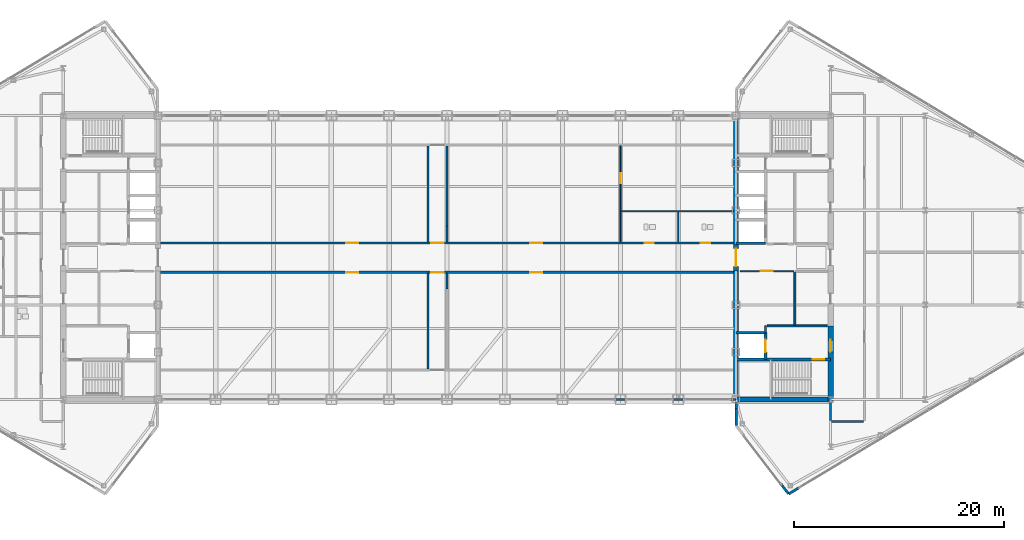
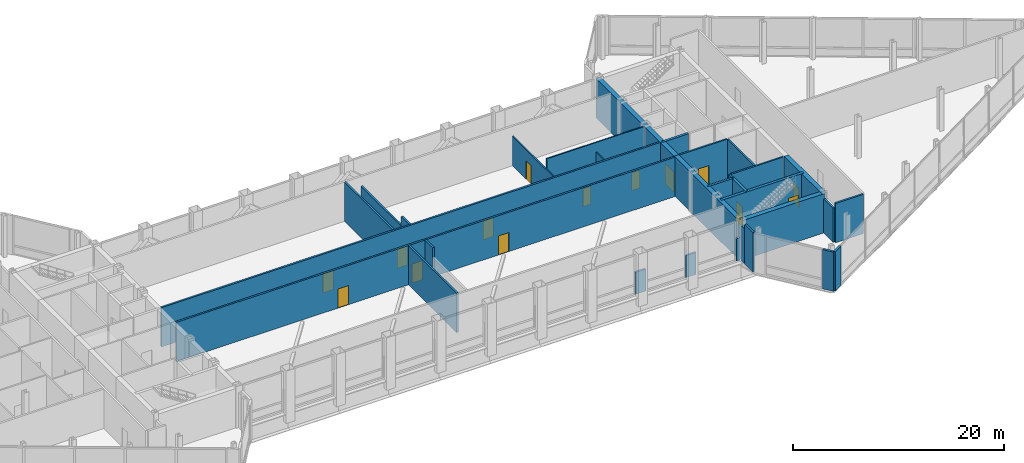
# One storey, part 24 of 29: 32 walls, 14 doors, 14 openings.
"""IFC4 building model written with IfcOpenShell, lengths in metres."""

from ifc_helpers import new_model, si_unit, direction, frame, frame_2d, origin, place, context, subcontext, project, spatial, rectangle, extrude, source, transform, mapped, material, layer, layer_set, type_object, type_shapes, element, fill, save


model = new_model("IFC4")

# Units and contexts
model_context = context("Model", 3, precision=1e-05, world=origin(), true_north=direction((0.0, 1.0)))
body_context = subcontext(model_context, "Body", "Model", "MODEL_VIEW")
ifc_project = project(units=[si_unit("LENGTHUNIT", "METRE"), si_unit("AREAUNIT", "SQUARE_METRE"), si_unit("VOLUMEUNIT", "CUBIC_METRE"), si_unit("PLANEANGLEUNIT", "RADIAN"), si_unit("MASSUNIT", "GRAM", prefix="KILO")], contexts=[model_context])

# Site, building, storey
site_placement = place(None, origin())
site = spatial("IfcSite", under=ifc_project, at=site_placement, CompositionType="ELEMENT")
building_placement = place(site_placement, origin())
building = spatial("IfcBuilding", under=site, at=building_placement, Name="Seokmaru Belvedere", CompositionType="ELEMENT")
storey_placement = place(building_placement, frame((0.0, 0.0, 229.800048828125)))
storey = spatial("IfcBuildingStorey", under=building, at=storey_placement, Name="L61", CompositionType="ELEMENT", Elevation=229.800048828125)

# Walls
ifc_material_1 = material(Name="Anodised Bronze Aluminium", Category="aluminium")
ifc_layer_1 = layer(ifc_material_1, 0.2099609375)
ifc_layer_set_1 = layer_set([ifc_layer_1], Name="Anodised Bronze Aluminium")
wall_type_1 = type_object("IfcWallType", Name="Bridge Column Spandrel Closure Pier 210", PredefinedType="SOLIDWALL", material=ifc_layer_set_1)
for number, where, z_axis, x_axis, name in (
    (1, (15.949951171875, -13.5, 0.0), (0.0, 0.0, 1.0), (1.0, 0.0, 0.0), "L61 Bridge South Column Closure Pier 09"),
    (2, (21.449951171875, -13.5, 0.0), (0.0, 0.0, 1.0), (1.0, 0.0, 0.0), "L61 Bridge South Column Closure Pier 10"),
):
    element("IfcWall", number, at=place(storey_placement, frame(where, z_axis=z_axis, x_axis=x_axis)), inside=storey, type_object=wall_type_1, Name=name, PredefinedType="SOLIDWALL", context=body_context, shape_type="SweptSolid", body=[
        extrude(rectangle(XDim=1.10009765625, YDim=0.2099609375, at=frame_2d((0.550048828125, 0.0))), origin(), (0.0, 0.0, 1.0), 2.5400390625),
    ])
wall_1_placement = place(storey_placement, frame((26.949951171875, -13.5, 0.0), z_axis=(0.0, 0.0, 1.0), x_axis=(1.0, 0.0, 0.0)))
element("IfcWall", 3, at=wall_1_placement, inside=storey, type_object=wall_type_1, Name="L61 Bridge South Column Closure Pier 11", PredefinedType="SOLIDWALL", context=body_context, shape_type="SweptSolid", body=[
    extrude(rectangle(XDim=0.5400390625, YDim=0.2099609375, at=frame_2d((0.27001953125, 0.0))), origin(), (0.0, 0.0, 1.0), 2.5400390625),
])
ifc_material_2 = material(Name="Fire-Rated Gypsum Shaftwall")
ifc_layer_2 = layer(ifc_material_2, 0.179931640625)
ifc_layer_set_2 = layer_set([ifc_layer_2], Name="Fire-Rated Gypsum Shaftwall")
wall_type_2 = type_object("IfcWallType", Name="Core Service Fire Partition 180", PredefinedType="PARTITIONING", material=ifc_layer_set_2)
wall_2_placement = place(storey_placement, frame((30.449951171875, -6.5, 0.0), z_axis=(0.0, 0.0, 1.0), x_axis=(1.0, 0.0, 0.0)))
element("IfcWall", 4, at=wall_2_placement, inside=storey, type_object=wall_type_2, Name="L61 East Firefighting Lobby Partition", PredefinedType="PARTITIONING", context=body_context, shape_type="SweptSolid", body=[
    extrude(rectangle(XDim=5.699951171875, YDim=0.179931640625, at=frame_2d((2.85009765625, 0.0))), origin(), (0.0, 0.0, 1.0), 4.5400390625),
])
wall_3_placement = place(storey_placement, frame((30.300048828125, -7.1201171875, 0.0), z_axis=(0.0, 0.0, 1.0), x_axis=(0.0, 1.0, 0.0)))
element("IfcWall", 5, at=wall_3_placement, inside=storey, type_object=wall_type_2, Name="L61 East Firefighting Lobby East Closure Wall", PredefinedType="PARTITIONING", context=body_context, shape_type="SweptSolid", body=[
    extrude(rectangle(XDim=0.6201171875, YDim=0.179931640625, at=frame_2d((0.31005859375, 0.0))), origin(), (0.0, 0.0, 1.0), 4.5400390625),
])
wall_4_placement = place(storey_placement, frame((33.10009765625, -6.419921875, 0.0), z_axis=(0.0, 0.0, 1.0), x_axis=(0.0, 1.0, 0.0)))
element("IfcWall", 6, at=wall_4_placement, inside=storey, type_object=wall_type_2, Name="L61 East South Core Service Back Wall", PredefinedType="PARTITIONING", context=body_context, shape_type="SweptSolid", body=[
    extrude(rectangle(XDim=5.0400390625, YDim=0.179931640625, at=frame_2d((2.52001953125, 0.0))), origin(), (0.0, 0.0, 1.0), 4.5400390625),
])

# Wall, opening, door
wall_5_placement = place(storey_placement, frame((27.85009765625, -1.300048828125, 0.0), z_axis=(0.0, 0.0, 1.0), x_axis=(1.0, 0.0, 0.0)))
wall_5 = element("IfcWall", 7, at=wall_5_placement, inside=storey, type_object=wall_type_2, Name="L61 East South Lift Lobby Foyer Wall", PredefinedType="PARTITIONING", context=body_context, shape_type="SweptSolid", body=[
    extrude(rectangle(XDim=5.169921875, YDim=0.179931640625, at=frame_2d((2.5849609375, 0.0))), origin(), (0.0, 0.0, 1.0), 4.5400390625),
])
opening_1_placement = place(wall_5_placement, frame((2.010009765625, 0.0, 0.0)))
opening_1 = element("IfcOpeningElement", 8, at=opening_1_placement, cuts=wall_5, Name="Opening D02", PredefinedType="OPENING", context=body_context, shape_type="SweptSolid", body=[
    extrude(rectangle(XDim=1.14990234375, YDim=2.199951171875, at=frame_2d((0.574951171875, 1.10009765625))), frame((0.0, 0.10009765625, 0.0), z_axis=(0.0, -1.0, 0.0), x_axis=(1.0, 0.0, 0.0)), (0.0, 0.0, 1.0), 0.199951171875),
])
ifc_material_3 = material(Name="Fire-Rated Steel Leaf", Category="steel")
door_type_1 = type_object("IfcDoorType", Name="Lobby and Vestibule Fire Door 1150x2200", OperationType="NOTDEFINED", PredefinedType="DOOR", material=ifc_material_3)
shared_shape_1 = source(origin(), body_context, "Body", "SweptSolid", [
    extrude(rectangle(XDim=1.14990234375, YDim=2.199951171875, at=frame_2d((0.574951171875, 1.10009765625))), frame((0.0, 0.02490234375, 0.0), z_axis=(0.0, -1.0, 0.0), x_axis=(1.0, 0.0, 0.0)), (0.0, 0.0, 1.0), 0.050048828125),
])
type_shapes(door_type_1, [shared_shape_1])
door_1_placement = place(opening_1_placement, origin())
door_1 = element("IfcDoor", 9, at=door_1_placement, inside=storey, type_object=door_type_1, Name="L61 East South Core Foyer Door", OperationType="SINGLE_SWING_RIGHT", OverallHeight=2.199951171875, OverallWidth=1.14990234375, PredefinedType="DOOR", context=body_context, shape_type="MappedRepresentation", body=[
    mapped(shared_shape_1, transform((0.0, 0.0, 0.0), scale=1.0)),
])
fill(opening_1, door_1)

# Walls
ifc_material_4 = material(Name="Concrete C50 (50 MPa)", Category="concrete")
ifc_layer_3 = layer(ifc_material_4, 0.25)
ifc_layer_set_3 = layer_set([ifc_layer_3], Name="Concrete C50 (50 MPa)")
wall_type_3 = type_object("IfcWallType", Name="Hoistway Transverse Concrete Divider Wall 250", PredefinedType="SHEAR", material=ifc_layer_set_3)
for number, where, z_axis, x_axis, name in (
    (10, (27.5, -7.14990234375, 0.0), (0.0, 0.0, 1.0), (1.0, 0.0, 0.0), "L61 East Hoistway Divider Core Wall 1"),
    (11, (27.5, 1.35009765625, 0.0), (0.0, 0.0, 1.0), (1.0, 0.0, 0.0), "L61 East Hoistway Divider Core Wall 2"),
):
    element("IfcWall", number, at=place(storey_placement, frame(where, z_axis=z_axis, x_axis=x_axis)), inside=storey, type_object=wall_type_3, Name=name, PredefinedType="SHEAR", context=body_context, shape_type="SweptSolid", body=[
        extrude(rectangle(XDim=2.800048828125, YDim=0.25, at=frame_2d((1.39990234375, 0.0))), origin(), (0.0, 0.0, 1.0), 4.5400390625),
    ])
ifc_layer_4 = layer(ifc_material_2, 0.199951171875)
ifc_layer_set_4 = layer_set([ifc_layer_4], Name="Fire-Rated Gypsum Shaftwall")
wall_type_4 = type_object("IfcWallType", Name="Inter-Tenancy Fire Compartment Partition 200", PredefinedType="PARTITIONING", material=ifc_layer_set_4)
wall_6_placement = place(storey_placement, frame((36.5849609375, -15.60009765625, 0.0), z_axis=(0.0, 0.0, 1.0), x_axis=(1.0, 0.0, 0.0)))
element("IfcWall", 12, at=wall_6_placement, inside=storey, type_object=wall_type_4, Name="L61 Interior Partition 002", PredefinedType="PARTITIONING", context=body_context, shape_type="SweptSolid", body=[
    extrude(rectangle(XDim=3.030029296875, YDim=0.199951171875, at=frame_2d((1.51513671875, 0.0))), origin(), (0.0, 0.0, 1.0), 4.5400390625),
])

# Wall, openings, doors
wall_7_placement = place(storey_placement, frame((-27.2451171875, -1.39990234375, 0.0), z_axis=(0.0, 0.0, 1.0), x_axis=(1.0, 0.0, 0.0)))
wall_7 = element("IfcWall", 13, at=wall_7_placement, inside=storey, type_object=wall_type_4, Name="L61 Interior Partition 007", PredefinedType="PARTITIONING", context=body_context, shape_type="SweptSolid", body=[
    extrude(rectangle(XDim=54.490234375, YDim=0.199951171875, at=frame_2d((27.2451171875, 0.0))), origin(), (0.0, 0.0, 1.0), 4.5400390625),
])
opening_2_placement = place(wall_7_placement, frame((25.77001953125, 0.0, 0.0)))
opening_2 = element("IfcOpeningElement", 14, at=opening_2_placement, cuts=wall_7, Name="Opening D02", PredefinedType="OPENING", context=body_context, shape_type="SweptSolid", body=[
    extrude(rectangle(XDim=1.14990234375, YDim=2.199951171875, at=frame_2d((0.574951171875, 1.10009765625))), frame((0.0, 0.10986328125, 0.0), z_axis=(0.0, -1.0, 0.0), x_axis=(1.0, 0.0, 0.0)), (0.0, 0.0, 1.0), 0.219970703125),
])
opening_3_placement = place(wall_7_placement, frame((17.669921875, 0.0, 0.0)))
opening_3 = element("IfcOpeningElement", 15, at=opening_3_placement, cuts=wall_7, Name="Opening D02", PredefinedType="OPENING", context=body_context, shape_type="SweptSolid", body=[
    extrude(rectangle(XDim=1.14990234375, YDim=2.199951171875, at=frame_2d((0.574951171875, 1.10009765625))), frame((0.0, 0.10986328125, 0.0), z_axis=(0.0, -1.0, 0.0), x_axis=(1.0, 0.0, 0.0)), (0.0, 0.0, 1.0), 0.219970703125),
])
opening_4_placement = place(wall_7_placement, frame((35.169921875, 0.0, 0.0)))
opening_4 = element("IfcOpeningElement", 16, at=opening_4_placement, cuts=wall_7, Name="Opening D02", PredefinedType="OPENING", context=body_context, shape_type="SweptSolid", body=[
    extrude(rectangle(XDim=1.14990234375, YDim=2.199951171875, at=frame_2d((0.574951171875, 1.10009765625))), frame((0.0, 0.10986328125, 0.0), z_axis=(0.0, -1.0, 0.0), x_axis=(1.0, 0.0, 0.0)), (0.0, 0.0, 1.0), 0.219970703125),
])
door_2_placement = place(opening_2_placement, origin())
door_2 = element("IfcDoor", 17, at=door_2_placement, inside=storey, type_object=door_type_1, Name="L61 Interior Door 018", OperationType="SINGLE_SWING_LEFT", OverallHeight=2.199951171875, OverallWidth=1.14990234375, PredefinedType="DOOR", context=body_context, shape_type="MappedRepresentation", body=[
    mapped(shared_shape_1, transform((0.0, 0.0, 0.0), scale=1.0)),
])
fill(opening_2, door_2)
door_3_placement = place(opening_3_placement, origin())
door_3 = element("IfcDoor", 18, at=door_3_placement, inside=storey, type_object=door_type_1, Name="L61 Interior Door 023", OperationType="SINGLE_SWING_LEFT", OverallHeight=2.199951171875, OverallWidth=1.14990234375, PredefinedType="DOOR", context=body_context, shape_type="MappedRepresentation", body=[
    mapped(shared_shape_1, transform((0.0, 0.0, 0.0), scale=1.0)),
])
fill(opening_3, door_3)
door_4_placement = place(opening_4_placement, origin())
door_4 = element("IfcDoor", 19, at=door_4_placement, inside=storey, type_object=door_type_1, Name="L61 Interior Door 024", OperationType="SINGLE_SWING_RIGHT", OverallHeight=2.199951171875, OverallWidth=1.14990234375, PredefinedType="DOOR", context=body_context, shape_type="MappedRepresentation", body=[
    mapped(shared_shape_1, transform((0.0, 0.0, 0.0), scale=1.0)),
])
fill(opening_4, door_4)

wall_8_placement = place(storey_placement, frame((-27.2451171875, 1.39990234375, 0.0), z_axis=(0.0, 0.0, 1.0), x_axis=(1.0, 0.0, 0.0)))
wall_8 = element("IfcWall", 20, at=wall_8_placement, inside=storey, type_object=wall_type_4, Name="L61 Interior Partition 009", PredefinedType="PARTITIONING", context=body_context, shape_type="SweptSolid", body=[
    extrude(rectangle(XDim=54.490234375, YDim=0.199951171875, at=frame_2d((27.2451171875, 0.0))), origin(), (0.0, 0.0, 1.0), 4.5400390625),
])
opening_5_placement = place(wall_8_placement, frame((25.77001953125, 0.0, 0.0)))
opening_5 = element("IfcOpeningElement", 21, at=opening_5_placement, cuts=wall_8, Name="Opening D02", PredefinedType="OPENING", context=body_context, shape_type="SweptSolid", body=[
    extrude(rectangle(XDim=1.14990234375, YDim=2.199951171875, at=frame_2d((0.574951171875, 1.10009765625))), frame((0.0, 0.10986328125, 0.0), z_axis=(0.0, -1.0, 0.0), x_axis=(1.0, 0.0, 0.0)), (0.0, 0.0, 1.0), 0.219970703125),
])
opening_6_placement = place(wall_8_placement, frame((35.169921875, 0.0, 0.0)))
opening_6 = element("IfcOpeningElement", 22, at=opening_6_placement, cuts=wall_8, Name="Opening D02", PredefinedType="OPENING", context=body_context, shape_type="SweptSolid", body=[
    extrude(rectangle(XDim=1.14990234375, YDim=2.199951171875, at=frame_2d((0.574951171875, 1.10009765625))), frame((0.0, 0.10986328125, 0.0), z_axis=(0.0, -1.0, 0.0), x_axis=(1.0, 0.0, 0.0)), (0.0, 0.0, 1.0), 0.219970703125),
])
opening_7_placement = place(wall_8_placement, frame((17.669921875, 0.0, 0.0)))
opening_7 = element("IfcOpeningElement", 23, at=opening_7_placement, cuts=wall_8, Name="Opening D02", PredefinedType="OPENING", context=body_context, shape_type="SweptSolid", body=[
    extrude(rectangle(XDim=1.14990234375, YDim=2.199951171875, at=frame_2d((0.574951171875, 1.10009765625))), frame((0.0, 0.10986328125, 0.0), z_axis=(0.0, -1.0, 0.0), x_axis=(1.0, 0.0, 0.0)), (0.0, 0.0, 1.0), 0.219970703125),
])
opening_8_placement = place(wall_8_placement, frame((46.054931640625, 0.0, 0.0)))
opening_8 = element("IfcOpeningElement", 24, at=opening_8_placement, cuts=wall_8, Name="Opening D06", PredefinedType="OPENING", context=body_context, shape_type="SweptSolid", body=[
    extrude(rectangle(XDim=0.8798828125, YDim=2.10009765625, at=frame_2d((0.43994140625, 1.050048828125))), frame((0.0, 0.10986328125, 0.0), z_axis=(0.0, -1.0, 0.0), x_axis=(1.0, 0.0, 0.0)), (0.0, 0.0, 1.0), 0.219970703125),
])
opening_9_placement = place(wall_8_placement, frame((51.405029296875, 0.0, 0.0)))
opening_9 = element("IfcOpeningElement", 25, at=opening_9_placement, cuts=wall_8, Name="Opening D06", PredefinedType="OPENING", context=body_context, shape_type="SweptSolid", body=[
    extrude(rectangle(XDim=0.8798828125, YDim=2.10009765625, at=frame_2d((0.43994140625, 1.050048828125))), frame((0.0, 0.10986328125, 0.0), z_axis=(0.0, -1.0, 0.0), x_axis=(1.0, 0.0, 0.0)), (0.0, 0.0, 1.0), 0.219970703125),
])
door_5_placement = place(opening_5_placement, origin())
door_5 = element("IfcDoor", 26, at=door_5_placement, inside=storey, type_object=door_type_1, Name="L61 Interior Door 019", OperationType="SINGLE_SWING_RIGHT", OverallHeight=2.199951171875, OverallWidth=1.14990234375, PredefinedType="DOOR", context=body_context, shape_type="MappedRepresentation", body=[
    mapped(shared_shape_1, transform((0.0, 0.0, 0.0), scale=1.0)),
])
fill(opening_5, door_5)
door_6_placement = place(opening_6_placement, origin())
door_6 = element("IfcDoor", 27, at=door_6_placement, inside=storey, type_object=door_type_1, Name="L61 Interior Door 022", OperationType="SINGLE_SWING_RIGHT", OverallHeight=2.199951171875, OverallWidth=1.14990234375, PredefinedType="DOOR", context=body_context, shape_type="MappedRepresentation", body=[
    mapped(shared_shape_1, transform((0.0, 0.0, 0.0), scale=1.0)),
])
fill(opening_6, door_6)
door_7_placement = place(opening_7_placement, origin())
door_7 = element("IfcDoor", 28, at=door_7_placement, inside=storey, type_object=door_type_1, Name="L61 Interior Door 025", OperationType="SINGLE_SWING_LEFT", OverallHeight=2.199951171875, OverallWidth=1.14990234375, PredefinedType="DOOR", context=body_context, shape_type="MappedRepresentation", body=[
    mapped(shared_shape_1, transform((0.0, 0.0, 0.0), scale=1.0)),
])
fill(opening_7, door_7)
ifc_material_5 = material(Name="Engineered White Oak Timber", Category="wood")
door_type_2 = type_object("IfcDoorType", Name="Bathroom and Restroom Fire-Rated Door 880x2100", OperationType="NOTDEFINED", PredefinedType="DOOR", material=ifc_material_5)
shared_shape_2 = source(origin(), body_context, "Body", "SweptSolid", [
    extrude(rectangle(XDim=0.8798828125, YDim=2.10009765625, at=frame_2d((0.43994140625, 1.050048828125))), frame((0.0, 0.02490234375, 0.0), z_axis=(0.0, -1.0, 0.0), x_axis=(1.0, 0.0, 0.0)), (0.0, 0.0, 1.0), 0.050048828125),
])
type_shapes(door_type_2, [shared_shape_2])
door_8_placement = place(opening_8_placement, origin())
door_8 = element("IfcDoor", 29, at=door_8_placement, inside=storey, type_object=door_type_2, Name="L61 Interior Door 026", OperationType="SINGLE_SWING_LEFT", OverallHeight=2.10009765625, OverallWidth=0.8798828125, PredefinedType="DOOR", context=body_context, shape_type="MappedRepresentation", body=[
    mapped(shared_shape_2, transform((0.0, 0.0, 0.0), scale=1.0)),
])
fill(opening_8, door_8)
door_9_placement = place(opening_9_placement, origin())
door_9 = element("IfcDoor", 30, at=door_9_placement, inside=storey, type_object=door_type_2, Name="L61 Interior Door 027", OperationType="SINGLE_SWING_RIGHT", OverallHeight=2.10009765625, OverallWidth=0.8798828125, PredefinedType="DOOR", context=body_context, shape_type="MappedRepresentation", body=[
    mapped(shared_shape_2, transform((0.0, 0.0, 0.0), scale=1.0)),
])
fill(opening_9, door_9)

# Walls
for number, where, z_axis, x_axis, name in (
    (31, (-1.800048828125, -10.614990234375, 0.0), (0.0, 0.0, 1.0), (0.0, 1.0, 0.0), "L61 Interior Partition 025"),
    (32, (-1.800048828125, 1.485107421875, 0.0), (0.0, 0.0, 1.0), (0.0, 1.0, 0.0), "L61 Interior Partition 026"),
):
    element("IfcWall", number, at=place(storey_placement, frame(where, z_axis=z_axis, x_axis=x_axis)), inside=storey, type_object=wall_type_4, Name=name, PredefinedType="PARTITIONING", context=body_context, shape_type="SweptSolid", body=[
        extrude(rectangle(XDim=9.1298828125, YDim=0.199951171875, at=frame_2d((4.56494140625, 0.0))), origin(), (0.0, 0.0, 1.0), 4.5400390625),
    ])
for number, where, z_axis, x_axis, name in (
    (33, (0.0, -2.97998046875, 0.0), (0.0, 0.0, 1.0), (0.0, 1.0, 0.0), "L61 Interior Partition 027 Part 2"),
    (34, (0.0, 1.485107421875, 0.0), (0.0, 0.0, 1.0), (0.0, 1.0, 0.0), "L61 Interior Partition 028"),
):
    element("IfcWall", number, at=place(storey_placement, frame(where, z_axis=z_axis, x_axis=x_axis)), inside=storey, type_object=wall_type_4, Name=name, PredefinedType="PARTITIONING", context=body_context, shape_type="SweptSolid", body=[
        extrude(rectangle(XDim=1.494873046875, YDim=0.199951171875, at=frame_2d((0.74755859375, 0.0))), origin(), (0.0, 0.0, 1.0), 4.5400390625),
    ])
wall_9_placement = place(storey_placement, frame((0.0, 2.97998046875, 0.0), z_axis=(0.0, 0.0, 1.0), x_axis=(0.0, 1.0, 0.0)))
element("IfcWall", 35, at=wall_9_placement, inside=storey, type_object=wall_type_4, Name="L61 Interior Partition 028 Part 2", PredefinedType="PARTITIONING", context=body_context, shape_type="SweptSolid", body=[
    extrude(rectangle(XDim=7.635009765625, YDim=0.199951171875, at=frame_2d((3.8173828125, 0.0))), origin(), (0.0, 0.0, 1.0), 3.43994140625),
])
wall_10_placement = place(storey_placement, frame((36.5, -15.514892578125, 0.0), z_axis=(0.0, 0.0, 1.0), x_axis=(0.0, 1.0, 0.0)))
element("IfcWall", 36, at=wall_10_placement, inside=storey, type_object=wall_type_4, Name="L61 Interior Partition 031", PredefinedType="PARTITIONING", context=body_context, shape_type="SweptSolid", body=[
    extrude(rectangle(XDim=1.760009765625, YDim=0.199951171875, at=frame_2d((0.8798828125, 0.0))), origin(), (0.0, 0.0, 1.0), 3.93994140625),
])

# Wall, opening, door
ifc_layer_5 = layer(ifc_material_4, 0.300048828125)
ifc_layer_set_5 = layer_set([ifc_layer_5], Name="Concrete C50 (50 MPa)")
wall_type_5 = type_object("IfcWallType", Name="Internal Core Stair and Hoistway Wall 300", PredefinedType="SHEAR", material=ifc_layer_set_5)
wall_11_placement = place(storey_placement, frame((27.5, -9.699951171875, 0.0), z_axis=(0.0, 0.0, 1.0), x_axis=(1.0, 0.0, 0.0)))
wall_11 = element("IfcWall", 37, at=wall_11_placement, inside=storey, type_object=wall_type_5, Name="L61 East Stair ST-1 Enclosure Wall", PredefinedType="SHEAR", context=body_context, shape_type="SweptSolid", body=[
    extrude(rectangle(XDim=9.0, YDim=0.300048828125, at=frame_2d((4.5, 0.0))), origin(), (0.0, 0.0, 1.0), 4.5400390625),
])
opening_10_placement = place(wall_11_placement, frame((7.300048828125, 0.0, 0.0)))
opening_10 = element("IfcOpeningElement", 38, at=opening_10_placement, cuts=wall_11, Name="Opening D01", PredefinedType="OPENING", context=body_context, shape_type="SweptSolid", body=[
    extrude(rectangle(XDim=1.10009765625, YDim=2.199951171875, at=frame_2d((0.550048828125, 1.10009765625))), frame((0.0, 0.16015625, 0.0), z_axis=(0.0, -1.0, 0.0), x_axis=(1.0, 0.0, 0.0)), (0.0, 0.0, 1.0), 0.320068359375),
])
door_type_3 = type_object("IfcDoorType", Name="Special Escape Stair Smokeproof Fire Door 1100x2200", OperationType="NOTDEFINED", PredefinedType="DOOR", material=ifc_material_3)
shared_shape_3 = source(origin(), body_context, "Body", "SweptSolid", [
    extrude(rectangle(XDim=1.10009765625, YDim=2.199951171875, at=frame_2d((0.550048828125, 1.10009765625))), frame((0.0, 0.02490234375, 0.0), z_axis=(0.0, -1.0, 0.0), x_axis=(1.0, 0.0, 0.0)), (0.0, 0.0, 1.0), 0.050048828125),
])
type_shapes(door_type_3, [shared_shape_3])
door_10_placement = place(opening_10_placement, frame((1.10009765625, 0.0, 0.0), z_axis=(0.0, 0.0, 1.0), x_axis=(-1.0, 0.0, 0.0)))
door_10 = element("IfcDoor", 39, at=door_10_placement, inside=storey, type_object=door_type_3, Name="L61 East Special Escape Stair ST-1 Door", OperationType="SINGLE_SWING_RIGHT", OverallHeight=2.199951171875, OverallWidth=1.10009765625, PredefinedType="DOOR", context=body_context, shape_type="MappedRepresentation", body=[
    mapped(shared_shape_3, transform((0.0, 0.0, 0.0), scale=1.0)),
])
fill(opening_10, door_10)

wall_12_placement = place(storey_placement, frame((30.300048828125, -9.679931640625, 0.0), z_axis=(0.0, 0.0, 1.0), x_axis=(0.0, 1.0, 0.0)))
wall_12 = element("IfcWall", 40, at=wall_12_placement, inside=storey, type_object=wall_type_5, Name="L61 East Firefighting Lift Shaft Front Wall", PredefinedType="SHEAR", context=body_context, shape_type="SweptSolid", body=[
    extrude(rectangle(XDim=2.559814453125, YDim=0.300048828125, at=frame_2d((1.27978515625, 0.0))), origin(), (0.0, 0.0, 1.0), 4.5400390625),
])
opening_11_placement = place(wall_12_placement, frame((0.679931640625, 0.0, 0.0)))
opening_11 = element("IfcOpeningElement", 41, at=opening_11_placement, cuts=wall_12, Name="Opening LD2", PredefinedType="OPENING", context=body_context, shape_type="SweptSolid", body=[
    extrude(rectangle(XDim=1.199951171875, YDim=2.25, at=frame_2d((0.60009765625, 1.125))), frame((0.0, 0.16015625, 0.0), z_axis=(0.0, -1.0, 0.0), x_axis=(1.0, 0.0, 0.0)), (0.0, 0.0, 1.0), 0.320068359375),
])
ifc_material_6 = material(Name="Stainless Steel 316", Category="steel")
door_type_4 = type_object("IfcDoorType", Name="Firefighting Lift Sliding Landing Door 1200x2250", OperationType="DOUBLE_DOOR_SLIDING", PredefinedType="DOOR", material=ifc_material_6)
shared_shape_4 = source(origin(), body_context, "Body", "SweptSolid", [
    extrude(rectangle(XDim=1.199951171875, YDim=2.25, at=frame_2d((0.60009765625, 1.125))), frame((0.0, 0.02490234375, 0.0), z_axis=(0.0, -1.0, 0.0), x_axis=(1.0, 0.0, 0.0)), (0.0, 0.0, 1.0), 0.050048828125),
])
type_shapes(door_type_4, [shared_shape_4])
door_11_placement = place(opening_11_placement, origin())
door_11 = element("IfcDoor", 42, at=door_11_placement, inside=storey, type_object=door_type_4, Name="L61 East Firefighting Lift Landing Door", OperationType="DOUBLE_DOOR_SLIDING", OverallHeight=2.25, OverallWidth=1.199951171875, PredefinedType="DOOR", context=body_context, shape_type="MappedRepresentation", body=[
    mapped(shared_shape_4, transform((0.0, 0.0, 0.0), scale=1.0)),
])
fill(opening_11, door_11)

# Wall
ifc_layer_6 = layer(ifc_material_2, 0.1298828125)
ifc_layer_set_6 = layer_set([ifc_layer_6], Name="Fire-Rated Gypsum Shaftwall")
wall_type_6 = type_object("IfcWallType", Name="Moisture-Resistant Fire-Rated Bathroom Partition 130", PredefinedType="PARTITIONING", material=ifc_layer_set_6)
wall_13_placement = place(storey_placement, frame((16.5849609375, 4.39990234375, 0.0), z_axis=(0.0, 0.0, 1.0), x_axis=(1.0, 0.0, 0.0)))
element("IfcWall", 43, at=wall_13_placement, inside=storey, type_object=wall_type_6, Name="L61 Interior Partition 012", PredefinedType="PARTITIONING", context=body_context, shape_type="SweptSolid", body=[
    extrude(rectangle(XDim=10.66015625, YDim=0.1298828125, at=frame_2d((5.330078125, 0.0))), origin(), (0.0, 0.0, 1.0), 4.5400390625),
])

# Wall, opening, door
wall_14_placement = place(storey_placement, frame((16.5, 1.485107421875, 0.0), z_axis=(0.0, 0.0, 1.0), x_axis=(0.0, 1.0, 0.0)))
wall_14 = element("IfcWall", 44, at=wall_14_placement, inside=storey, type_object=wall_type_6, Name="L61 Interior Partition 029", PredefinedType="PARTITIONING", context=body_context, shape_type="SweptSolid", body=[
    extrude(rectangle(XDim=9.1298828125, YDim=0.1298828125, at=frame_2d((4.56494140625, 0.0))), origin(), (0.0, 0.0, 1.0), 3.43994140625),
])
opening_12_placement = place(wall_14_placement, frame((5.590087890625, 0.0, 0.0)))
opening_12 = element("IfcOpeningElement", 45, at=opening_12_placement, cuts=wall_14, Name="Opening D05", PredefinedType="OPENING", context=body_context, shape_type="SweptSolid", body=[
    extrude(rectangle(XDim=0.949951171875, YDim=2.14990234375, at=frame_2d((0.47509765625, 1.074951171875))), frame((0.0, 0.074951171875, 0.0), z_axis=(0.0, -1.0, 0.0), x_axis=(1.0, 0.0, 0.0)), (0.0, 0.0, 1.0), 0.14990234375),
])
door_type_5 = type_object("IfcDoorType", Name="Apartment Interior Fire-Rated Oak Door 950x2150", OperationType="NOTDEFINED", PredefinedType="DOOR", material=ifc_material_5)
shared_shape_5 = source(origin(), body_context, "Body", "SweptSolid", [
    extrude(rectangle(XDim=0.949951171875, YDim=2.14990234375, at=frame_2d((0.47509765625, 1.074951171875))), frame((0.0, 0.02490234375, 0.0), z_axis=(0.0, -1.0, 0.0), x_axis=(1.0, 0.0, 0.0)), (0.0, 0.0, 1.0), 0.050048828125),
])
type_shapes(door_type_5, [shared_shape_5])
door_12_placement = place(opening_12_placement, origin())
door_12 = element("IfcDoor", 46, at=door_12_placement, inside=storey, type_object=door_type_5, Name="L61 Interior Door 028", OperationType="SINGLE_SWING_LEFT", OverallHeight=2.14990234375, OverallWidth=0.949951171875, PredefinedType="DOOR", context=body_context, shape_type="MappedRepresentation", body=[
    mapped(shared_shape_5, transform((0.0, 0.0, 0.0), scale=1.0)),
])
fill(opening_12, door_12)

# Walls
wall_15_placement = place(storey_placement, frame((22.0, 1.485107421875, 0.0), z_axis=(0.0, 0.0, 1.0), x_axis=(0.0, 1.0, 0.0)))
element("IfcWall", 47, at=wall_15_placement, inside=storey, type_object=wall_type_6, Name="L61 Interior Partition 030", PredefinedType="PARTITIONING", context=body_context, shape_type="SweptSolid", body=[
    extrude(rectangle(XDim=2.829833984375, YDim=0.1298828125, at=frame_2d((1.4150390625, 0.0))), origin(), (0.0, 0.0, 1.0), 3.43994140625),
])
ifc_layer_7 = layer(ifc_material_1, 0.239990234375)
ifc_layer_set_7 = layer_set([ifc_layer_7], Name="Anodised Bronze Aluminium")
wall_type_7 = type_object("IfcWallType", Name="Tower Corner Spandrel Closure Wall 240", PredefinedType="SOLIDWALL", material=ifc_layer_set_7)
wall_16_placement = place(storey_placement, frame((32.508544921875, -22.494873046875, 0.0), z_axis=(0.0, 0.0, 1.0), x_axis=(0.85743623509, 0.514590228002, 0.0)))
element("IfcWall", 48, at=wall_16_placement, inside=storey, type_object=wall_type_7, Name="L61 E Corner Closure Pier 1A", PredefinedType="SOLIDWALL", context=body_context, shape_type="SweptSolid", body=[
    extrude(rectangle(XDim=1.14013671875, YDim=0.239990234375, at=frame_2d((0.570068359375, 0.0))), origin(), (0.0, 0.0, 1.0), 4.5400390625),
])
wall_17_placement = place(storey_placement, frame((27.5, -15.97998046875, 0.0), z_axis=(0.0, 0.0, 1.0), x_axis=(0.0, 1.0, 0.0)))
element("IfcWall", 49, at=wall_17_placement, inside=storey, type_object=wall_type_7, Name="L61 E Shoulder Closure Wall 1", PredefinedType="SOLIDWALL", context=body_context, shape_type="SweptSolid", body=[
    extrude(rectangle(XDim=1.605224609375, YDim=0.239990234375, at=frame_2d((0.802734375, 0.0))), origin(), (0.0, 0.0, 1.0), 4.5400390625),
])
wall_18_placement = place(storey_placement, frame((27.5, -14.374755859375, 0.0), z_axis=(0.0, 0.0, 1.0), x_axis=(0.0, 1.0, 0.0)))
element("IfcWall", 50, at=wall_18_placement, inside=storey, type_object=wall_type_7, Name="L61 E Shoulder Closure Wall 1 Part 2", PredefinedType="SOLIDWALL", context=body_context, shape_type="SweptSolid", body=[
    extrude(rectangle(XDim=0.619873046875, YDim=0.239990234375, at=frame_2d((0.31005859375, 0.0))), origin(), (0.0, 0.0, 1.0), 4.0400390625),
])
wall_19_placement = place(storey_placement, frame((31.798828125, -21.58837890625, 0.0), z_axis=(0.0, 0.0, 1.0), x_axis=(0.609617623633, -0.792695624408, 0.0)))
element("IfcWall", 51, at=wall_19_placement, inside=storey, type_object=wall_type_7, Name="L61 E Corner Closure Pier 6B", PredefinedType="SOLIDWALL", context=body_context, shape_type="SweptSolid", body=[
    extrude(rectangle(XDim=1.14013671875, YDim=0.239990234375, at=frame_2d((0.570068359375, 0.0))), origin(), (0.0, 0.0, 1.0), 4.5400390625),
])
ifc_layer_8 = layer(ifc_material_4, 0.5)
ifc_layer_set_8 = layer_set([ifc_layer_8], Name="Concrete C50 (50 MPa)")
wall_type_8 = type_object("IfcWallType", Name="Upper Tower Reinforced Concrete Core Wall 500", PredefinedType="SHEAR", material=ifc_layer_set_8)
for number, where, z_axis, x_axis, name in (
    (52, (27.5, -13.5, 0.0), (0.0, 0.0, 1.0), (0.0, 1.0, 0.0), "L61 East Portal Spine Core Wall South"),
    (53, (27.5, 1.300048828125, 0.0), (0.0, 0.0, 1.0), (0.0, 1.0, 0.0), "L61 East Portal Spine Core Wall North"),
):
    element("IfcWall", number, at=place(storey_placement, frame(where, z_axis=z_axis, x_axis=x_axis)), inside=storey, type_object=wall_type_8, Name=name, PredefinedType="SHEAR", context=body_context, shape_type="SweptSolid", body=[
        extrude(rectangle(XDim=12.199951171875, YDim=0.5, at=frame_2d((6.10009765625, 0.0))), origin(), (0.0, 0.0, 1.0), 4.5400390625),
    ])

# Wall, opening, door
wall_20_placement = place(storey_placement, frame((27.5, -1.300048828125, 0.0), z_axis=(0.0, 0.0, 1.0), x_axis=(0.0, 1.0, 0.0)))
wall_20 = element("IfcWall", 54, at=wall_20_placement, inside=storey, type_object=wall_type_8, Name="L61 East Portal Spine Core Wall Center", PredefinedType="SHEAR", context=body_context, shape_type="SweptSolid", body=[
    extrude(rectangle(XDim=2.60009765625, YDim=0.5, at=frame_2d((1.300048828125, 0.0))), origin(), (0.0, 0.0, 1.0), 4.5400390625),
])
opening_13_placement = place(wall_20_placement, frame((0.449951171875, 0.0, 0.0)))
opening_13 = element("IfcOpeningElement", 55, at=opening_13_placement, cuts=wall_20, Name="Opening D09", PredefinedType="OPENING", context=body_context, shape_type="SweptSolid", body=[
    extrude(rectangle(XDim=1.699951171875, YDim=2.35009765625, at=frame_2d((0.85009765625, 1.175048828125))), frame((0.0, 0.260009765625, 0.0), z_axis=(0.0, -1.0, 0.0), x_axis=(1.0, 0.0, 0.0)), (0.0, 0.0, 1.0), 0.52001953125),
])
door_type_6 = type_object("IfcDoorType", Name="Sky-Gate Bridge Inter-Tower Fire Door 1700x2350", OperationType="DOUBLE_SWING_LEFT", PredefinedType="DOOR", material=ifc_material_3)
shared_shape_6 = source(origin(), body_context, "Body", "SweptSolid", [
    extrude(rectangle(XDim=1.699951171875, YDim=2.35009765625, at=frame_2d((0.85009765625, 1.175048828125))), frame((0.0, 0.02490234375, 0.0), z_axis=(0.0, -1.0, 0.0), x_axis=(1.0, 0.0, 0.0)), (0.0, 0.0, 1.0), 0.050048828125),
])
type_shapes(door_type_6, [shared_shape_6])
door_13_placement = place(opening_13_placement, origin())
door_13 = element("IfcDoor", 56, at=door_13_placement, inside=storey, type_object=door_type_6, Name="L61 East Inter-Tower Fire Door", OperationType="DOUBLE_SWING_LEFT", OverallHeight=2.35009765625, OverallWidth=1.699951171875, PredefinedType="DOOR", context=body_context, shape_type="MappedRepresentation", body=[
    mapped(shared_shape_6, transform((0.0, 0.0, 0.0), scale=1.0)),
])
fill(opening_13, door_13)

# Wall
wall_21_placement = place(storey_placement, frame((27.5, -13.5, 0.0), z_axis=(0.0, 0.0, 1.0), x_axis=(1.0, 0.0, 0.0)))
element("IfcWall", 57, at=wall_21_placement, inside=storey, type_object=wall_type_8, Name="L61 East South Core Wall", PredefinedType="SHEAR", context=body_context, shape_type="SweptSolid", body=[
    extrude(rectangle(XDim=9.0, YDim=0.5, at=frame_2d((4.5, 0.0))), origin(), (0.0, 0.0, 1.0), 4.5400390625),
])

# Wall, opening, door
wall_22_placement = place(storey_placement, frame((36.5, -13.64990234375, 0.0), z_axis=(0.0, 0.0, 1.0), x_axis=(0.0, 1.0, 0.0)))
wall_22 = element("IfcWall", 58, at=wall_22_placement, inside=storey, type_object=wall_type_8, Name="L61 East West Core Wall FF", PredefinedType="SHEAR", context=body_context, shape_type="SweptSolid", body=[
    extrude(rectangle(XDim=7.14990234375, YDim=0.5, at=frame_2d((3.574951171875, 0.0))), origin(), (0.0, 0.0, 1.0), 4.5400390625),
])
opening_14_placement = place(wall_22_placement, frame((4.675048828125, 0.0, 0.0)))
opening_14 = element("IfcOpeningElement", 59, at=opening_14_placement, cuts=wall_22, Name="Opening D02", PredefinedType="OPENING", context=body_context, shape_type="SweptSolid", body=[
    extrude(rectangle(XDim=1.14990234375, YDim=2.199951171875, at=frame_2d((0.574951171875, 1.10009765625))), frame((0.0, 0.260009765625, 0.0), z_axis=(0.0, -1.0, 0.0), x_axis=(1.0, 0.0, 0.0)), (0.0, 0.0, 1.0), 0.52001953125),
])
door_14_placement = place(opening_14_placement, origin())
door_14 = element("IfcDoor", 60, at=door_14_placement, inside=storey, type_object=door_type_1, Name="L61 East Firefighting Lobby Door", OperationType="SINGLE_SWING_RIGHT", OverallHeight=2.199951171875, OverallWidth=1.14990234375, PredefinedType="DOOR", context=body_context, shape_type="MappedRepresentation", body=[
    mapped(shared_shape_1, transform((0.0, 0.0, 0.0), scale=1.0)),
])
fill(opening_14, door_14)

save(model, "model.ifc")
